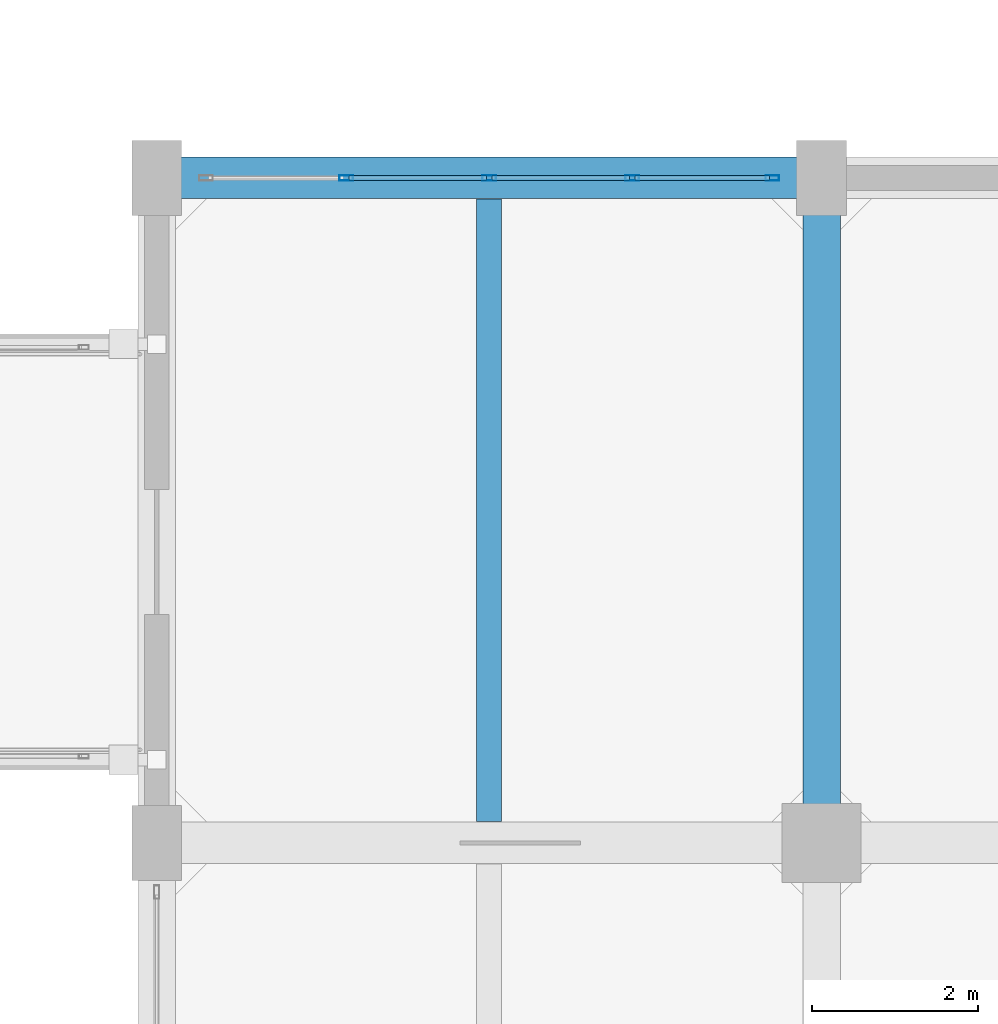
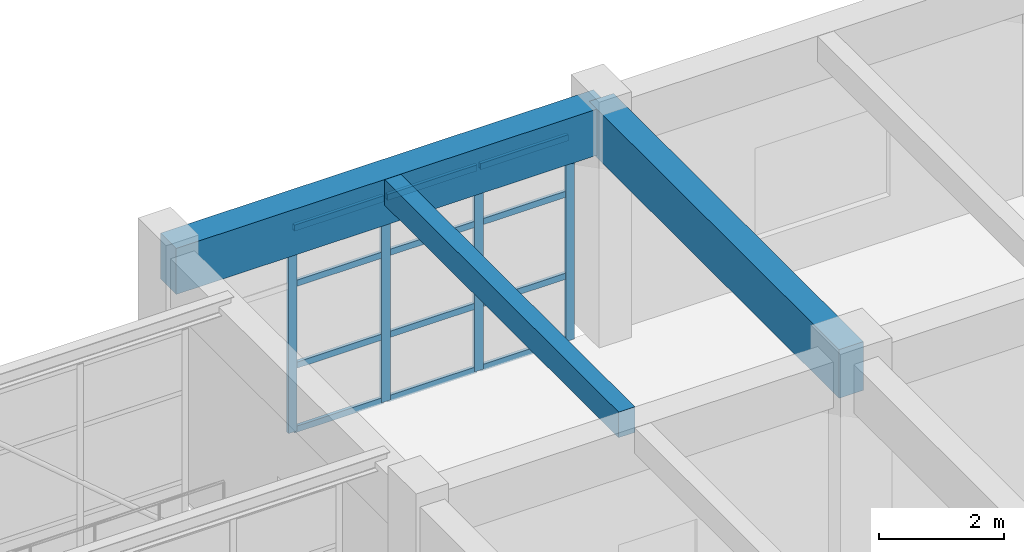
# One storey, part 177 of 248: 16 members, 3 beams, 1 element without a shape of its own.
"""IFC4 building model written with IfcOpenShell, lengths in metres."""

from ifc_helpers import new_model, si_unit, direction, frame, origin, origin_2d, place, context, subcontext, project, spatial, rectangle, hollow_rectangle, extrude, material, layer, layer_set, material_profile, profile_set, type_object, element, aggregate, save


model = new_model("IFC4")

# Units and contexts
model_context = context("Model", 3, precision=1e-05, world=origin(), true_north=direction((0.0, 1.0)))
body_context = subcontext(model_context, "Body", "Model", "MODEL_VIEW")
ifc_project = project(units=[si_unit("LENGTHUNIT", "METRE"), si_unit("AREAUNIT", "SQUARE_METRE"), si_unit("VOLUMEUNIT", "CUBIC_METRE"), si_unit("PLANEANGLEUNIT", "RADIAN"), si_unit("MASSUNIT", "GRAM", prefix="KILO")], contexts=[model_context])

# Site, building, storey
site_placement = place(None, origin())
site = spatial("IfcSite", under=ifc_project, at=site_placement, CompositionType="ELEMENT")
building_placement = place(site_placement, origin())
building = spatial("IfcBuilding", under=site, at=building_placement, Name="Canggui Botanical Conservatory", CompositionType="ELEMENT")
storey_placement = place(building_placement, frame((0.0, 0.0, 5.39990234375)))
storey = spatial("IfcBuildingStorey", under=building, at=storey_placement, Name="L02", CompositionType="ELEMENT", Elevation=5.39990234375)

# Beams
ifc_material_1 = material(Name="Concrete C35", Category="concrete")
ifc_material_profile_1 = material_profile(ifc_material_1, rectangle(XDim=0.300048828125, YDim=0.5, at=origin_2d()), Name="RB 300x500")
ifc_profile_set_1 = profile_set([ifc_material_profile_1], Name="Concrete C35")
beam_type_1 = type_object("IfcBeamType", Name="BM-JST02", PredefinedType="JOIST", material=ifc_profile_set_1)
beam_1_placement = place(storey_placement, frame((134.0, 74.2548828125, 4.27001953125), z_axis=(0.0, 1.0, 0.0), x_axis=(-1.0, 0.0, 0.0)))
element("IfcBeam", 1, at=beam_1_placement, inside=storey, type_object=beam_type_1, Name="Secondary Floor Joist L02-1-7", PredefinedType="JOIST", context=body_context, shape_type="SweptSolid", body=[
    extrude(rectangle(XDim=0.300048828125, YDim=0.5, at=origin_2d()), origin(), (0.0, 0.0, 1.0), 7.490234375),
])
ifc_material_profile_2 = material_profile(ifc_material_1, rectangle(XDim=0.5, YDim=0.89990234375, at=origin_2d()), Name="RB 500x900")
ifc_profile_set_2 = profile_set([ifc_material_profile_2], Name="Concrete C35")
beam_type_2 = type_object("IfcBeamType", Name="BM-KL03", PredefinedType="BEAM", material=ifc_profile_set_2)
beam_2_placement = place(storey_placement, frame((130.0, 82.0, 4.070068359375), z_axis=(1.0, 0.0, 0.0), x_axis=(0.0, 1.0, 0.0)))
element("IfcBeam", 2, at=beam_2_placement, inside=storey, type_object=beam_type_2, Name="Frame Girder L02 Y82-1", PredefinedType="BEAM", context=body_context, shape_type="SweptSolid", body=[
    extrude(rectangle(XDim=0.5, YDim=0.89990234375, at=origin_2d()), origin(), (0.0, 0.0, 1.0), 8.0),
])
ifc_material_profile_3 = material_profile(ifc_material_1, rectangle(XDim=0.449951171875, YDim=0.949951171875, at=origin_2d()), Name="RB 450x950")
ifc_profile_set_3 = profile_set([ifc_material_profile_3], Name="Concrete C35")
beam_type_3 = type_object("IfcBeamType", Name="BM-KL04", PredefinedType="BEAM", material=ifc_profile_set_3)
beam_3_placement = place(storey_placement, frame((138.0, 74.0, 4.045166015625), z_axis=(0.0, 1.0, 0.0), x_axis=(-1.0, 0.0, 0.0)))
element("IfcBeam", 3, at=beam_3_placement, inside=storey, type_object=beam_type_3, Name="Frame Girder L02 X138-7", PredefinedType="BEAM", context=body_context, shape_type="SweptSolid", body=[
    extrude(rectangle(XDim=0.449951171875, YDim=0.949951171875, at=origin_2d()), origin(), (0.0, 0.0, 1.0), 8.0),
])

# Curtain wall, members
ifc_material_2 = material(Name="Thermally Broken Aluminium", Category="aluminium")
ifc_layer = layer(ifc_material_2, 0.1650390625, Name="Thermally Broken Aluminium", Category="aluminium")
ifc_layer_set = layer_set([ifc_layer], Name="Thermally Broken Aluminium")
curtain_wall_type = type_object("IfcCurtainWallType", Name="CW-UNIT-B", PredefinedType="USERDEFINED", material=ifc_layer_set)
curtain_wall_placement = place(storey_placement, origin())
curtain_wall = element("IfcCurtainWall", 4, at=curtain_wall_placement, inside=storey, type_object=curtain_wall_type, Name="Facade Curtain Wall CW-TWR-L02-14", ObjectType="UNITISED CURTAIN WALL", PredefinedType="USERDEFINED")
ifc_material_profile_4 = material_profile(ifc_material_2, hollow_rectangle(XDim=0.06494140625, YDim=0.1650390625, WallThickness=0.00390625, at=origin_2d()), Name="CWM 65x165x4")
ifc_profile_set_4 = profile_set([ifc_material_profile_4], Name="Thermally Broken Aluminium")
member_type_1 = type_object("IfcMemberType", Name="CWM-02", PredefinedType="MULLION", material=ifc_profile_set_4)
member_1_placement = place(storey_placement, frame((132.280029296875, 82.0, 0.0), z_axis=(0.0, 0.0, 1.0), x_axis=(0.0, 1.0, 0.0)))
member_1 = element("IfcMember", 5, at=member_1_placement, type_object=member_type_1, Name="CW-02 mullion 2", PredefinedType="MULLION", context=body_context, shape_type="SweptSolid", body=[
    extrude(hollow_rectangle(XDim=0.06494140625, YDim=0.1650390625, WallThickness=0.00390625, at=origin_2d()), origin(), (0.0, 0.0, 1.0), 4.0),
])
member_2_placement = place(storey_placement, frame((134.0, 82.0, 0.0), z_axis=(0.0, 0.0, 1.0), x_axis=(0.0, 1.0, 0.0)))
member_2 = element("IfcMember", 6, at=member_2_placement, type_object=member_type_1, Name="CW-02 mullion 3", PredefinedType="MULLION", context=body_context, shape_type="SweptSolid", body=[
    extrude(hollow_rectangle(XDim=0.06494140625, YDim=0.1650390625, WallThickness=0.00390625, at=origin_2d()), origin(), (0.0, 0.0, 1.0), 4.0),
])
member_3_placement = place(storey_placement, frame((135.719970703125, 82.0, 0.0), z_axis=(0.0, 0.0, 1.0), x_axis=(0.0, 1.0, 0.0)))
member_3 = element("IfcMember", 7, at=member_3_placement, type_object=member_type_1, Name="CW-02 mullion 4", PredefinedType="MULLION", context=body_context, shape_type="SweptSolid", body=[
    extrude(hollow_rectangle(XDim=0.06494140625, YDim=0.1650390625, WallThickness=0.00390625, at=origin_2d()), origin(), (0.0, 0.0, 1.0), 4.0),
])
member_4_placement = place(storey_placement, frame((137.407470703125, 82.0, 0.0), z_axis=(0.0, 0.0, 1.0), x_axis=(0.0, 1.0, 0.0)))
member_4 = element("IfcMember", 8, at=member_4_placement, type_object=member_type_1, Name="CW-02 mullion 5", PredefinedType="MULLION", context=body_context, shape_type="SweptSolid", body=[
    extrude(hollow_rectangle(XDim=0.06494140625, YDim=0.1650390625, WallThickness=0.00390625, at=origin_2d()), origin(), (0.0, 0.0, 1.0), 4.0),
])
ifc_material_profile_5 = material_profile(ifc_material_2, hollow_rectangle(XDim=0.06005859375, YDim=0.1201171875, WallThickness=0.00341796875, at=origin_2d()), Name="CWT 60x120x3.5")
ifc_profile_set_5 = profile_set([ifc_material_profile_5], Name="Thermally Broken Aluminium")
member_type_2 = type_object("IfcMemberType", Name="CWT-02", PredefinedType="USERDEFINED", material=ifc_profile_set_5)
member_5_placement = place(storey_placement, frame((132.3125, 82.0, 0.030029296875), z_axis=(1.0, 0.0, 0.0), x_axis=(0.0, 1.0, 0.0)))
member_5 = element("IfcMember", 9, at=member_5_placement, type_object=member_type_2, Name="CW-02 transom 2.1", ObjectType="TRANSOM", PredefinedType="USERDEFINED", context=body_context, shape_type="SweptSolid", body=[
    extrude(hollow_rectangle(XDim=0.06005859375, YDim=0.1201171875, WallThickness=0.00341796875, at=origin_2d()), origin(), (0.0, 0.0, 1.0), 1.655029296875),
])
member_6_placement = place(storey_placement, frame((132.3125, 82.0, 1.280029296875), z_axis=(1.0, 0.0, 0.0), x_axis=(0.0, 1.0, 0.0)))
member_6 = element("IfcMember", 10, at=member_6_placement, type_object=member_type_2, Name="CW-02 transom 2.2", ObjectType="TRANSOM", PredefinedType="USERDEFINED", context=body_context, shape_type="SweptSolid", body=[
    extrude(hollow_rectangle(XDim=0.06005859375, YDim=0.1201171875, WallThickness=0.00341796875, at=origin_2d()), origin(), (0.0, 0.0, 1.0), 1.655029296875),
])
member_7_placement = place(storey_placement, frame((132.3125, 82.0, 2.880126953125), z_axis=(1.0, 0.0, 0.0), x_axis=(0.0, 1.0, 0.0)))
member_7 = element("IfcMember", 11, at=member_7_placement, type_object=member_type_2, Name="CW-02 transom 2.3", ObjectType="TRANSOM", PredefinedType="USERDEFINED", context=body_context, shape_type="SweptSolid", body=[
    extrude(hollow_rectangle(XDim=0.06005859375, YDim=0.1201171875, WallThickness=0.00341796875, at=origin_2d()), origin(), (0.0, 0.0, 1.0), 1.655029296875),
])
member_8_placement = place(storey_placement, frame((132.3125, 82.0, 3.97021484375), z_axis=(1.0, 0.0, 0.0), x_axis=(0.0, 1.0, 0.0)))
member_8 = element("IfcMember", 12, at=member_8_placement, type_object=member_type_2, Name="CW-02 transom 2.4", ObjectType="TRANSOM", PredefinedType="USERDEFINED", context=body_context, shape_type="SweptSolid", body=[
    extrude(hollow_rectangle(XDim=0.06005859375, YDim=0.1201171875, WallThickness=0.00341796875, at=origin_2d()), origin(), (0.0, 0.0, 1.0), 1.655029296875),
])
member_9_placement = place(storey_placement, frame((134.032470703125, 82.0, 0.030029296875), z_axis=(1.0, 0.0, 0.0), x_axis=(0.0, 1.0, 0.0)))
member_9 = element("IfcMember", 13, at=member_9_placement, type_object=member_type_2, Name="CW-02 transom 3.1", ObjectType="TRANSOM", PredefinedType="USERDEFINED", context=body_context, shape_type="SweptSolid", body=[
    extrude(hollow_rectangle(XDim=0.06005859375, YDim=0.1201171875, WallThickness=0.00341796875, at=origin_2d()), origin(), (0.0, 0.0, 1.0), 1.655029296875),
])
member_10_placement = place(storey_placement, frame((134.032470703125, 82.0, 1.280029296875), z_axis=(1.0, 0.0, 0.0), x_axis=(0.0, 1.0, 0.0)))
member_10 = element("IfcMember", 14, at=member_10_placement, type_object=member_type_2, Name="CW-02 transom 3.2", ObjectType="TRANSOM", PredefinedType="USERDEFINED", context=body_context, shape_type="SweptSolid", body=[
    extrude(hollow_rectangle(XDim=0.06005859375, YDim=0.1201171875, WallThickness=0.00341796875, at=origin_2d()), origin(), (0.0, 0.0, 1.0), 1.655029296875),
])
member_11_placement = place(storey_placement, frame((134.032470703125, 82.0, 2.880126953125), z_axis=(1.0, 0.0, 0.0), x_axis=(0.0, 1.0, 0.0)))
member_11 = element("IfcMember", 15, at=member_11_placement, type_object=member_type_2, Name="CW-02 transom 3.3", ObjectType="TRANSOM", PredefinedType="USERDEFINED", context=body_context, shape_type="SweptSolid", body=[
    extrude(hollow_rectangle(XDim=0.06005859375, YDim=0.1201171875, WallThickness=0.00341796875, at=origin_2d()), origin(), (0.0, 0.0, 1.0), 1.655029296875),
])
member_12_placement = place(storey_placement, frame((134.032470703125, 82.0, 3.97021484375), z_axis=(1.0, 0.0, 0.0), x_axis=(0.0, 1.0, 0.0)))
member_12 = element("IfcMember", 16, at=member_12_placement, type_object=member_type_2, Name="CW-02 transom 3.4", ObjectType="TRANSOM", PredefinedType="USERDEFINED", context=body_context, shape_type="SweptSolid", body=[
    extrude(hollow_rectangle(XDim=0.06005859375, YDim=0.1201171875, WallThickness=0.00341796875, at=origin_2d()), origin(), (0.0, 0.0, 1.0), 1.655029296875),
])
member_13_placement = place(storey_placement, frame((135.75244140625, 82.0, 0.030029296875), z_axis=(1.0, 0.0, 0.0), x_axis=(0.0, 1.0, 0.0)))
member_13 = element("IfcMember", 17, at=member_13_placement, type_object=member_type_2, Name="CW-02 transom 4.1", ObjectType="TRANSOM", PredefinedType="USERDEFINED", context=body_context, shape_type="SweptSolid", body=[
    extrude(hollow_rectangle(XDim=0.06005859375, YDim=0.1201171875, WallThickness=0.00341796875, at=origin_2d()), origin(), (0.0, 0.0, 1.0), 1.62255859375),
])
member_14_placement = place(storey_placement, frame((135.75244140625, 82.0, 1.280029296875), z_axis=(1.0, 0.0, 0.0), x_axis=(0.0, 1.0, 0.0)))
member_14 = element("IfcMember", 18, at=member_14_placement, type_object=member_type_2, Name="CW-02 transom 4.2", ObjectType="TRANSOM", PredefinedType="USERDEFINED", context=body_context, shape_type="SweptSolid", body=[
    extrude(hollow_rectangle(XDim=0.06005859375, YDim=0.1201171875, WallThickness=0.00341796875, at=origin_2d()), origin(), (0.0, 0.0, 1.0), 1.62255859375),
])
member_15_placement = place(storey_placement, frame((135.75244140625, 82.0, 2.880126953125), z_axis=(1.0, 0.0, 0.0), x_axis=(0.0, 1.0, 0.0)))
member_15 = element("IfcMember", 19, at=member_15_placement, type_object=member_type_2, Name="CW-02 transom 4.3", ObjectType="TRANSOM", PredefinedType="USERDEFINED", context=body_context, shape_type="SweptSolid", body=[
    extrude(hollow_rectangle(XDim=0.06005859375, YDim=0.1201171875, WallThickness=0.00341796875, at=origin_2d()), origin(), (0.0, 0.0, 1.0), 1.62255859375),
])
member_16_placement = place(storey_placement, frame((135.75244140625, 82.0, 3.97021484375), z_axis=(1.0, 0.0, 0.0), x_axis=(0.0, 1.0, 0.0)))
member_16 = element("IfcMember", 20, at=member_16_placement, type_object=member_type_2, Name="CW-02 transom 4.4", ObjectType="TRANSOM", PredefinedType="USERDEFINED", context=body_context, shape_type="SweptSolid", body=[
    extrude(hollow_rectangle(XDim=0.06005859375, YDim=0.1201171875, WallThickness=0.00341796875, at=origin_2d()), origin(), (0.0, 0.0, 1.0), 1.62255859375),
])
aggregate(curtain_wall, [member_1, member_2, member_3, member_4, member_5, member_6, member_7, member_8, member_9, member_10, member_11, member_12, member_13, member_14, member_15, member_16])

save(model, "model.ifc")
